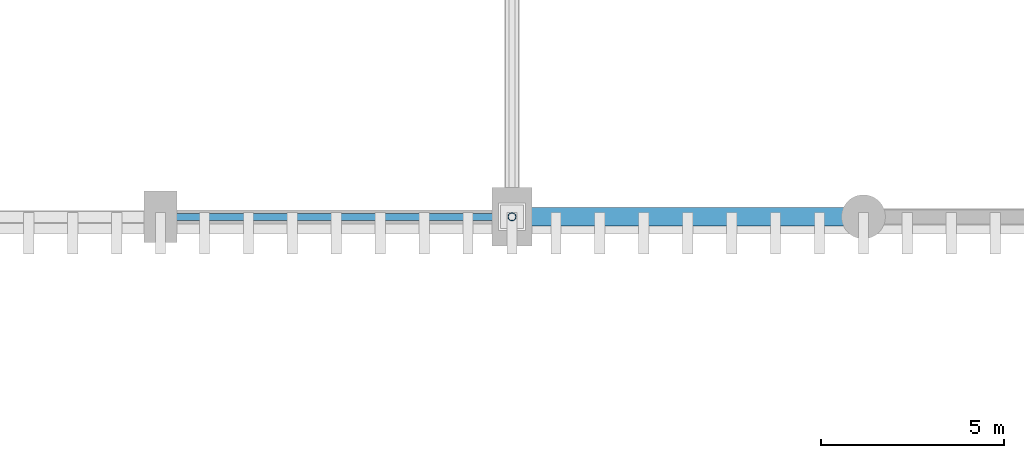
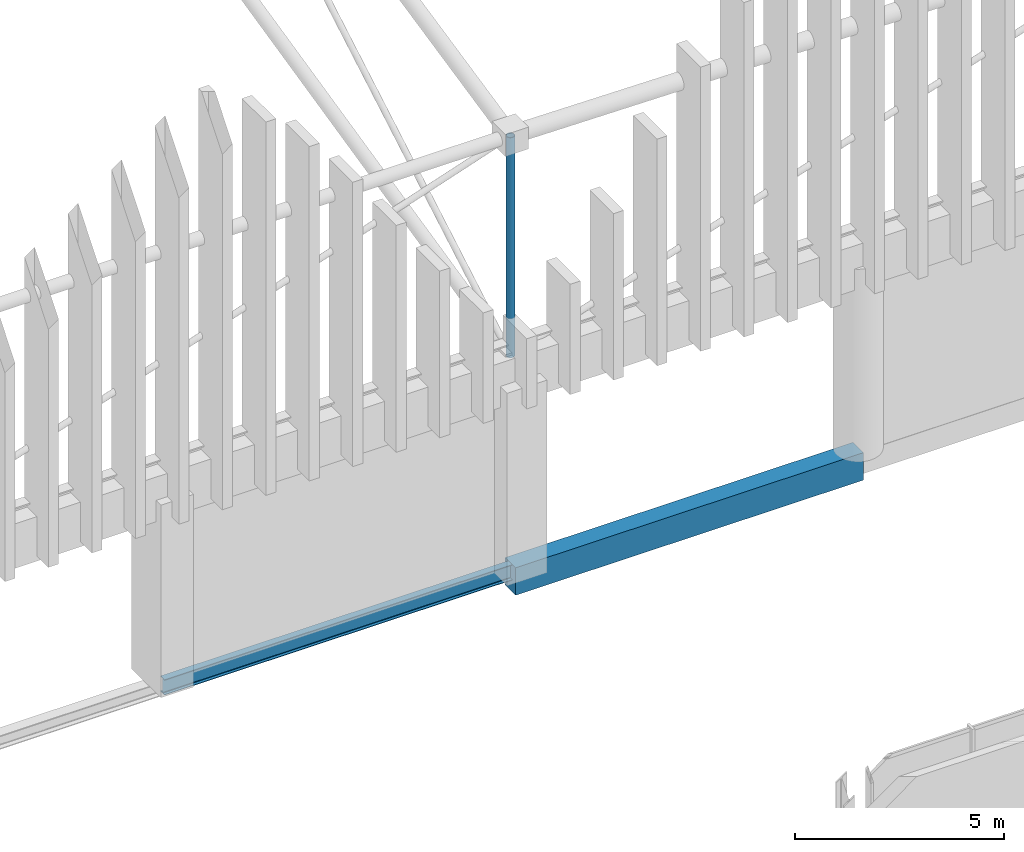
# One storey, part 34 of 193: 2 beams, 1 member.
"""IFC4 building model written with IfcOpenShell, lengths in metres."""

from ifc_helpers import new_model, si_unit, direction, frame, origin, origin_2d, place, context, subcontext, project, spatial, rectangle, hollow_circle, i_section, extrude, material, material_profile, profile_set, type_object, element, save


model = new_model("IFC4")

# Units and contexts
model_context = context("Model", 3, precision=1e-05, world=origin(), true_north=direction((0.0, 1.0)))
body_context = subcontext(model_context, "Body", "Model", "MODEL_VIEW")
ifc_project = project(units=[si_unit("LENGTHUNIT", "METRE"), si_unit("AREAUNIT", "SQUARE_METRE"), si_unit("VOLUMEUNIT", "CUBIC_METRE"), si_unit("PLANEANGLEUNIT", "RADIAN"), si_unit("MASSUNIT", "GRAM", prefix="KILO")], contexts=[model_context])

# Site, building, storey
site_placement = place(None, origin())
site = spatial("IfcSite", under=ifc_project, at=site_placement, CompositionType="ELEMENT")
building_placement = place(site_placement, origin())
building = spatial("IfcBuilding", under=site, at=building_placement, Name="Danafjord Basin Convention Centre", CompositionType="ELEMENT")
storey_placement = place(building_placement, frame((0.0, 0.0, 11.39990234375)))
storey = spatial("IfcBuildingStorey", under=building, at=storey_placement, Name="L02", CompositionType="ELEMENT", Elevation=11.39990234375)

# Beams
ifc_material_1 = material(Name="Steel S355", Category="steel")
ifc_material_profile_1 = material_profile(ifc_material_1, i_section(OverallWidth=0.18994140625, OverallDepth=0.449951171875, WebThickness=0.009521484375, FlangeThickness=0.0146484375, FilletRadius=0.02099609375, at=origin_2d()), Name="IPE 450")
ifc_profile_set_1 = profile_set([ifc_material_profile_1], Name="Steel S355")
beam_type_1 = type_object("IfcBeamType", Name="BEAM-SP-IPE450", PredefinedType="SPANDREL", material=ifc_profile_set_1)
beam_1_placement = place(storey_placement, frame((28.800048828125, 56.0, -0.224853515625), z_axis=(1.0, 0.0, 0.0), x_axis=(0.0, 1.0, 0.0)))
element("IfcBeam", 1, at=beam_1_placement, inside=storey, type_object=beam_type_1, Name="L02 girder SP-IPE450", PredefinedType="SPANDREL", context=body_context, shape_type="SweptSolid", body=[
    extrude(i_section(OverallWidth=0.18994140625, OverallDepth=0.449951171875, WebThickness=0.009521484375, FlangeThickness=0.0146484375, FilletRadius=0.02099609375, at=origin_2d()), origin(), (0.0, 0.0, 1.0), 9.599853515625),
])
ifc_material_2 = material(Name="Precast concrete C45/55", Category="concrete")
ifc_material_profile_2 = material_profile(ifc_material_2, rectangle(XDim=0.5, YDim=0.800048828125, at=origin_2d()), Name="PCB 500x800")
ifc_profile_set_2 = profile_set([ifc_material_profile_2], Name="Precast concrete C45/55")
beam_type_2 = type_object("IfcBeamType", Name="BEAM-SP-PCB800", PredefinedType="SPANDREL", material=ifc_profile_set_2)
beam_2_placement = place(storey_placement, frame((38.39990234375, 56.0, -0.39990234375), z_axis=(1.0, 0.0, 0.0), x_axis=(0.0, 1.0, 0.0)))
element("IfcBeam", 2, at=beam_2_placement, inside=storey, type_object=beam_type_2, Name="L02 girder SP-PCB800", PredefinedType="SPANDREL", context=body_context, shape_type="SweptSolid", body=[
    extrude(rectangle(XDim=0.5, YDim=0.800048828125, at=origin_2d()), origin(), (0.0, 0.0, 1.0), 9.60009765625),
])

# Member
ifc_material_profile_3 = material_profile(ifc_material_1, hollow_circle(Radius=0.109619140625, WallThickness=0.010009765625, at=origin_2d()), Name="CHS 219.1x10.0")
ifc_profile_set_3 = profile_set([ifc_material_profile_3], Name="Steel S355")
member_type = type_object("IfcMemberType", Name="MEM-ST-CHS219", PredefinedType="STRUT", material=ifc_profile_set_3)
member_placement = place(storey_placement, frame((38.39990234375, 56.0, 6.050048828125), z_axis=(0.0, 0.0, 1.0), x_axis=(1.0, 0.0, 0.0)))
element("IfcMember", 3, at=member_placement, inside=storey, type_object=member_type, Name="V1 roof truss vertical strut", PredefinedType="STRUT", context=body_context, shape_type="SweptSolid", body=[
    extrude(hollow_circle(Radius=0.109619140625, WallThickness=0.010009765625, at=origin_2d()), origin(), (0.0, 0.0, 1.0), 6.425048828125),
])

save(model, "model.ifc")
